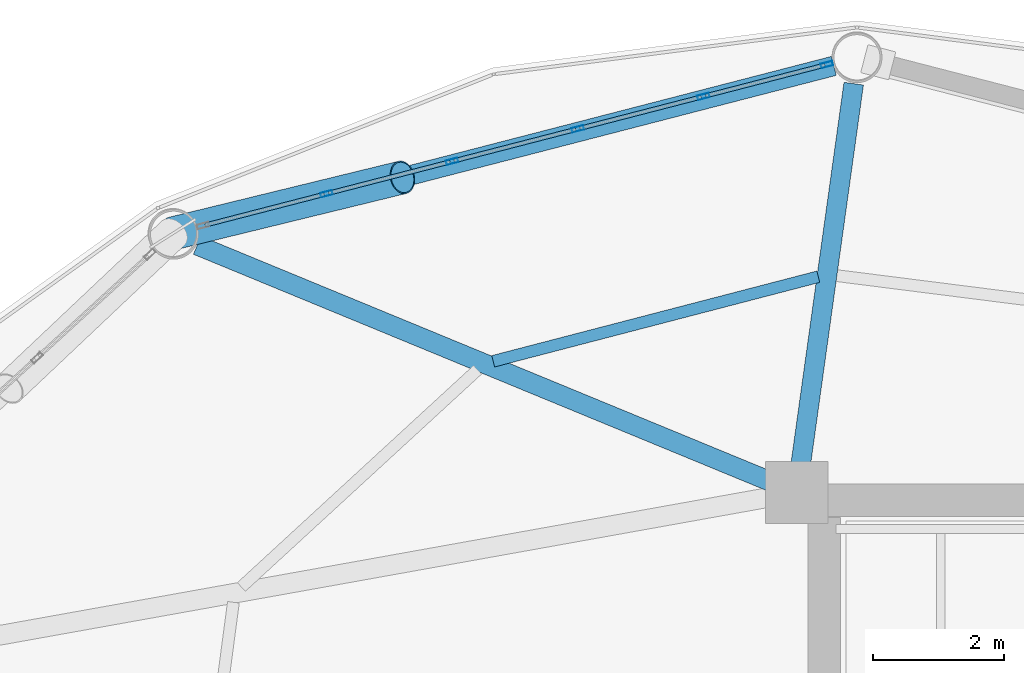
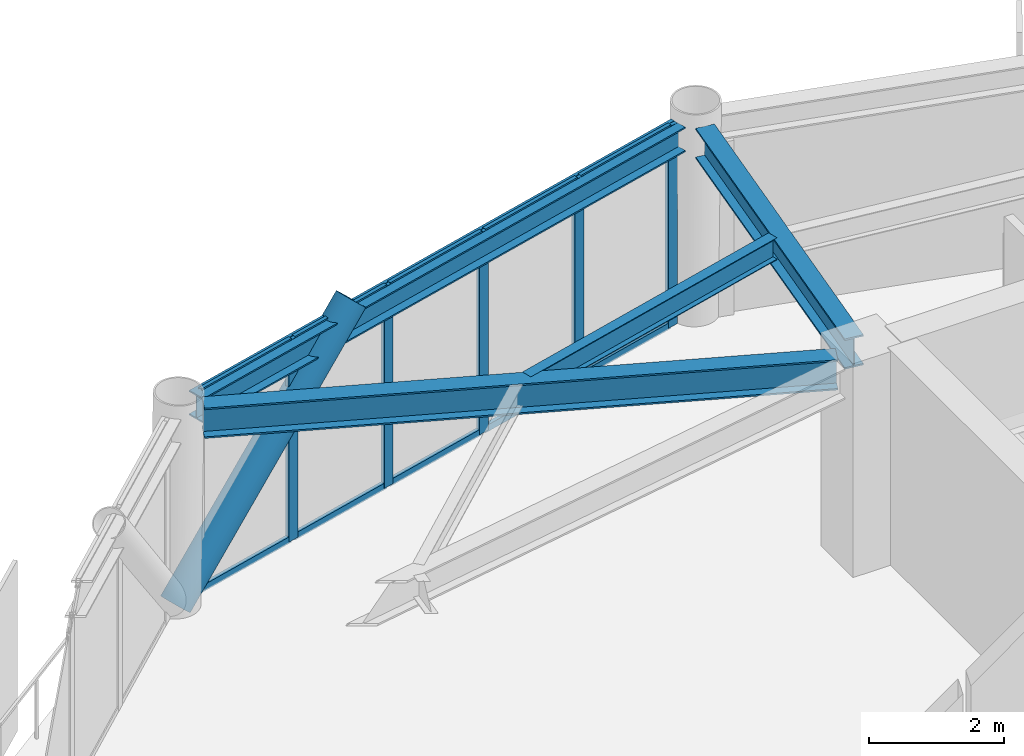
# One storey, part 18 of 27: 16 members, 4 beams, 1 element without a shape of its own.
"""IFC4 building model written with IfcOpenShell, lengths in metres."""

from ifc_helpers import new_model, si_unit, direction, frame, origin, origin_2d, place, context, subcontext, project, spatial, hollow_rectangle, hollow_circle, i_section, extrude, material, layer, layer_set, material_profile, profile_set, type_object, element, aggregate, save


model = new_model("IFC4")

# Units and contexts
model_context = context("Model", 3, precision=1e-05, world=origin(), true_north=direction((0.0, 1.0)))
body_context = subcontext(model_context, "Body", "Model", "MODEL_VIEW")
ifc_project = project(units=[si_unit("LENGTHUNIT", "METRE"), si_unit("AREAUNIT", "SQUARE_METRE"), si_unit("VOLUMEUNIT", "CUBIC_METRE"), si_unit("PLANEANGLEUNIT", "RADIAN"), si_unit("MASSUNIT", "GRAM", prefix="KILO")], contexts=[model_context])

# Site, building, storey
site_placement = place(None, origin())
site = spatial("IfcSite", under=ifc_project, at=site_placement, CompositionType="ELEMENT")
building_placement = place(site_placement, origin())
building = spatial("IfcBuilding", under=site, at=building_placement, Name="Varnakorn Sky Granary", CompositionType="ELEMENT")
storey_placement = place(building_placement, frame((0.0, 0.0, 134.39990234375)))
storey = spatial("IfcBuildingStorey", under=building, at=storey_placement, Name="L33", CompositionType="ELEMENT", Elevation=134.39990234375)

# Beams
ifc_material_1 = material(Name="Steel S355JR", Category="steel")
ifc_material_profile_1 = material_profile(ifc_material_1, i_section(OverallWidth=0.300048828125, OverallDepth=0.550048828125, WebThickness=0.014892578125, FlangeThickness=0.029052734375, at=origin_2d()), Name="HE 550 B")
ifc_profile_set_1 = profile_set([ifc_material_profile_1], Name="Steel S355JR")
beam_type_1 = type_object("IfcBeamType", Name="BM-RAD-Z3", PredefinedType="BEAM", material=ifc_profile_set_1)
beam_1_placement = place(storey_placement, frame((-2.362060546875, 13.035888671875, 3.364990234375), z_axis=(0.13785082598, 0.990453002306, 0.0), x_axis=(-0.990453002306, 0.13785082598, 0.0)))
element("IfcBeam", 1, at=beam_1_placement, inside=storey, type_object=beam_type_1, Name="Radial Floor Girder RG04 L33", PredefinedType="BEAM", context=body_context, shape_type="SweptSolid", body=[
    extrude(i_section(OverallWidth=0.300048828125, OverallDepth=0.550048828125, WebThickness=0.014892578125, FlangeThickness=0.029052734375, at=origin_2d()), origin(), (0.0, 0.0, 1.0), 5.888671875),
])
beam_2_placement = place(storey_placement, frame((-2.808349609375, 12.780029296875, 3.364990234375), z_axis=(-0.924531039205, 0.381106753477, 0.0), x_axis=(-0.381106753477, -0.924531039205, 0.0)))
element("IfcBeam", 2, at=beam_2_placement, inside=storey, type_object=beam_type_1, Name="Radial Floor Girder RG05 L33", PredefinedType="BEAM", context=body_context, shape_type="SweptSolid", body=[
    extrude(i_section(OverallWidth=0.300048828125, OverallDepth=0.550048828125, WebThickness=0.014892578125, FlangeThickness=0.029052734375, at=origin_2d()), origin(), (0.0, 0.0, 1.0), 9.493896484375),
])
ifc_material_profile_2 = material_profile(ifc_material_1, i_section(OverallWidth=0.179931640625, OverallDepth=0.39990234375, WebThickness=0.008544921875, FlangeThickness=0.013427734375, at=origin_2d()), Name="IPE 400")
ifc_profile_set_2 = profile_set([ifc_material_profile_2], Name="Steel S355JR")
beam_type_2 = type_object("IfcBeamType", Name="BM-SEC-Z3", PredefinedType="BEAM", material=ifc_profile_set_2)
beam_3_placement = place(storey_placement, frame((-2.091796875, 15.9169921875, 3.440185546875), z_axis=(-0.967794248948, -0.251742510718, 0.0), x_axis=(0.251742510718, -0.967794248948, 0.0)))
element("IfcBeam", 3, at=beam_3_placement, inside=storey, type_object=beam_type_2, Name="Secondary Floor Chord Beam MSB04 L33", PredefinedType="BEAM", context=body_context, shape_type="SweptSolid", body=[
    extrude(i_section(OverallWidth=0.179931640625, OverallDepth=0.39990234375, WebThickness=0.008544921875, FlangeThickness=0.013427734375, at=origin_2d()), origin(), (0.0, 0.0, 1.0), 5.135009765625),
])
ifc_material_profile_3 = material_profile(ifc_material_1, i_section(OverallWidth=0.300048828125, OverallDepth=0.449951171875, WebThickness=0.013916015625, FlangeThickness=0.02587890625, at=origin_2d()), Name="HE 450 B")
ifc_profile_set_3 = profile_set([ifc_material_profile_3], Name="Steel S355JR")
beam_type_3 = type_object("IfcBeamType", Name="BM-SPD-Z3", PredefinedType="SPANDREL", material=ifc_profile_set_3)
beam_4_placement = place(storey_placement, frame((-1.8544921875, 19.139404296875, 3.4150390625), z_axis=(-0.968201699162, -0.250170881079, 0.0), x_axis=(0.250170881079, -0.968201699162, 0.0)))
element("IfcBeam", 4, at=beam_4_placement, inside=storey, type_object=beam_type_3, Name="Perimeter Spandrel Ring Beam RB04 L33", PredefinedType="SPANDREL", context=body_context, shape_type="SweptSolid", body=[
    extrude(i_section(OverallWidth=0.300048828125, OverallDepth=0.449951171875, WebThickness=0.013916015625, FlangeThickness=0.02587890625, at=origin_2d()), origin(), (0.0, 0.0, 1.0), 10.0341796875),
])

# Curtain wall, members
ifc_material_2 = material(Name="Anodised Bronze Aluminium Alloy 6063-T6", Category="aluminium")
ifc_layer = layer(ifc_material_2, 0.179931640625, Name="Anodised Bronze Aluminium Alloy 6063-T6")
ifc_layer_set = layer_set([ifc_layer], Name="Anodised Bronze Aluminium Alloy 6063-T6")
curtain_wall_type = type_object("IfcCurtainWallType", Name="CW-FRM-2", PredefinedType="USERDEFINED", material=ifc_layer_set)
curtain_wall_placement = place(storey_placement, origin())
curtain_wall = element("IfcCurtainWall", 5, at=curtain_wall_placement, inside=storey, type_object=curtain_wall_type, Name="Unitised Curtain Wall CW4 CW-L33-B04", ObjectType="CURTAIN WALL", PredefinedType="USERDEFINED")
ifc_material_profile_4 = material_profile(ifc_material_2, hollow_rectangle(XDim=0.070068359375, YDim=0.18505859375, WallThickness=0.00390625, at=origin_2d()), Name="ALU MULL 70x185")
ifc_profile_set_4 = profile_set([ifc_material_profile_4], Name="Anodised Bronze Aluminium Alloy 6063-T6")
member_type_1 = type_object("IfcMemberType", Name="CW-FRM-2-MULL", PredefinedType="MULLION", material=ifc_profile_set_4)
member_1_placement = place(storey_placement, frame((-9.60986328125, 17.185302734375, 0.0), z_axis=(0.0, 0.0, 1.0), x_axis=(-0.249979863344, 0.968251035591, 0.0)))
member_1 = element("IfcMember", 6, at=member_1_placement, type_object=member_type_1, Name="CW4 mullion 2", PredefinedType="MULLION", context=body_context, shape_type="SweptSolid", body=[
    extrude(hollow_rectangle(XDim=0.070068359375, YDim=0.18505859375, WallThickness=0.00390625, at=origin_2d()), origin(), (0.0, 0.0, 1.0), 3.64013671875),
])
member_2_placement = place(storey_placement, frame((-7.689208984375, 17.68115234375, 0.0), z_axis=(0.0, 0.0, 1.0), x_axis=(-0.249979863344, 0.968251035591, 0.0)))
member_2 = element("IfcMember", 7, at=member_2_placement, type_object=member_type_1, Name="CW4 mullion 3", PredefinedType="MULLION", context=body_context, shape_type="SweptSolid", body=[
    extrude(hollow_rectangle(XDim=0.070068359375, YDim=0.18505859375, WallThickness=0.00390625, at=origin_2d()), origin(), (0.0, 0.0, 1.0), 3.64013671875),
])
member_3_placement = place(storey_placement, frame((-5.768310546875, 18.177001953125, 0.0), z_axis=(0.0, 0.0, 1.0), x_axis=(-0.249979863344, 0.968251035591, 0.0)))
member_3 = element("IfcMember", 8, at=member_3_placement, type_object=member_type_1, Name="CW4 mullion 4", PredefinedType="MULLION", context=body_context, shape_type="SweptSolid", body=[
    extrude(hollow_rectangle(XDim=0.070068359375, YDim=0.18505859375, WallThickness=0.00390625, at=origin_2d()), origin(), (0.0, 0.0, 1.0), 3.64013671875),
])
member_4_placement = place(storey_placement, frame((-3.84765625, 18.6728515625, 0.0), z_axis=(0.0, 0.0, 1.0), x_axis=(-0.249979863344, 0.968251035591, 0.0)))
member_4 = element("IfcMember", 9, at=member_4_placement, type_object=member_type_1, Name="CW4 mullion 5", PredefinedType="MULLION", context=body_context, shape_type="SweptSolid", body=[
    extrude(hollow_rectangle(XDim=0.070068359375, YDim=0.18505859375, WallThickness=0.00390625, at=origin_2d()), origin(), (0.0, 0.0, 1.0), 3.64013671875),
])
member_5_placement = place(storey_placement, frame((-1.9609375, 19.16015625, 0.0), z_axis=(0.0, 0.0, 1.0), x_axis=(-0.249979863344, 0.968251035591, 0.0)))
member_5 = element("IfcMember", 10, at=member_5_placement, type_object=member_type_1, Name="CW4 mullion 6", PredefinedType="MULLION", context=body_context, shape_type="SweptSolid", body=[
    extrude(hollow_rectangle(XDim=0.070068359375, YDim=0.18505859375, WallThickness=0.00390625, at=origin_2d()), origin(), (0.0, 0.0, 1.0), 3.64013671875),
])
ifc_material_profile_5 = material_profile(ifc_material_2, hollow_rectangle(XDim=0.06494140625, YDim=0.1201171875, WallThickness=0.00341796875, at=origin_2d()), Name="ALU TRAN 65x120")
ifc_profile_set_5 = profile_set([ifc_material_profile_5], Name="Anodised Bronze Aluminium Alloy 6063-T6")
member_type_2 = type_object("IfcMemberType", Name="CW-FRM-2-TRAN", PredefinedType="USERDEFINED", material=ifc_profile_set_5)
member_6_placement = place(storey_placement, frame((-11.462646484375, 16.706787109375, 0.03271484375), z_axis=(0.968232676684, 0.250050962408, 0.0), x_axis=(-0.250050962408, 0.968232676684, 0.0)))
member_6 = element("IfcMember", 11, at=member_6_placement, type_object=member_type_2, Name="CW4 transom 1.1", ObjectType="TRANSOM", PredefinedType="USERDEFINED", context=body_context, shape_type="SweptSolid", body=[
    extrude(hollow_rectangle(XDim=0.06494140625, YDim=0.1201171875, WallThickness=0.00341796875, at=origin_2d()), origin(), (0.0, 0.0, 1.0), 1.87841796875),
])
member_7_placement = place(storey_placement, frame((-11.462646484375, 16.706787109375, 3.607666015625), z_axis=(0.968232676684, 0.250050962408, 0.0), x_axis=(-0.250050962408, 0.968232676684, 0.0)))
member_7 = element("IfcMember", 12, at=member_7_placement, type_object=member_type_2, Name="CW4 transom 1.2", ObjectType="TRANSOM", PredefinedType="USERDEFINED", context=body_context, shape_type="SweptSolid", body=[
    extrude(hollow_rectangle(XDim=0.06494140625, YDim=0.1201171875, WallThickness=0.00341796875, at=origin_2d()), origin(), (0.0, 0.0, 1.0), 1.87841796875),
])
member_8_placement = place(storey_placement, frame((-9.575927734375, 17.194091796875, 0.03271484375), z_axis=(0.96826836196, 0.249912743225, 0.0), x_axis=(-0.249912743225, 0.96826836196, 0.0)))
member_8 = element("IfcMember", 13, at=member_8_placement, type_object=member_type_2, Name="CW4 transom 2.1", ObjectType="TRANSOM", PredefinedType="USERDEFINED", context=body_context, shape_type="SweptSolid", body=[
    extrude(hollow_rectangle(XDim=0.06494140625, YDim=0.1201171875, WallThickness=0.00341796875, at=origin_2d()), origin(), (0.0, 0.0, 1.0), 1.913818359375),
])
member_9_placement = place(storey_placement, frame((-9.575927734375, 17.194091796875, 3.607666015625), z_axis=(0.96826836196, 0.249912743225, 0.0), x_axis=(-0.249912743225, 0.96826836196, 0.0)))
member_9 = element("IfcMember", 14, at=member_9_placement, type_object=member_type_2, Name="CW4 transom 2.2", ObjectType="TRANSOM", PredefinedType="USERDEFINED", context=body_context, shape_type="SweptSolid", body=[
    extrude(hollow_rectangle(XDim=0.06494140625, YDim=0.1201171875, WallThickness=0.00341796875, at=origin_2d()), origin(), (0.0, 0.0, 1.0), 1.913818359375),
])
member_10_placement = place(storey_placement, frame((-7.6552734375, 17.68994140625, 0.03271484375), z_axis=(0.96826836196, 0.249912743225, 0.0), x_axis=(-0.249912743225, 0.96826836196, 0.0)))
member_10 = element("IfcMember", 15, at=member_10_placement, type_object=member_type_2, Name="CW4 transom 3.1", ObjectType="TRANSOM", PredefinedType="USERDEFINED", context=body_context, shape_type="SweptSolid", body=[
    extrude(hollow_rectangle(XDim=0.06494140625, YDim=0.1201171875, WallThickness=0.00341796875, at=origin_2d()), origin(), (0.0, 0.0, 1.0), 1.913818359375),
])
member_11_placement = place(storey_placement, frame((-7.6552734375, 17.68994140625, 3.607666015625), z_axis=(0.96826836196, 0.249912743225, 0.0), x_axis=(-0.249912743225, 0.96826836196, 0.0)))
member_11 = element("IfcMember", 16, at=member_11_placement, type_object=member_type_2, Name="CW4 transom 3.2", ObjectType="TRANSOM", PredefinedType="USERDEFINED", context=body_context, shape_type="SweptSolid", body=[
    extrude(hollow_rectangle(XDim=0.06494140625, YDim=0.1201171875, WallThickness=0.00341796875, at=origin_2d()), origin(), (0.0, 0.0, 1.0), 1.913818359375),
])
member_12_placement = place(storey_placement, frame((-5.734619140625, 18.185791015625, 0.03271484375), z_axis=(0.96826836196, 0.249912743225, 0.0), x_axis=(-0.249912743225, 0.96826836196, 0.0)))
member_12 = element("IfcMember", 17, at=member_12_placement, type_object=member_type_2, Name="CW4 transom 4.1", ObjectType="TRANSOM", PredefinedType="USERDEFINED", context=body_context, shape_type="SweptSolid", body=[
    extrude(hollow_rectangle(XDim=0.06494140625, YDim=0.1201171875, WallThickness=0.00341796875, at=origin_2d()), origin(), (0.0, 0.0, 1.0), 1.913818359375),
])
member_13_placement = place(storey_placement, frame((-5.734619140625, 18.185791015625, 3.607666015625), z_axis=(0.96826836196, 0.249912743225, 0.0), x_axis=(-0.249912743225, 0.96826836196, 0.0)))
member_13 = element("IfcMember", 18, at=member_13_placement, type_object=member_type_2, Name="CW4 transom 4.2", ObjectType="TRANSOM", PredefinedType="USERDEFINED", context=body_context, shape_type="SweptSolid", body=[
    extrude(hollow_rectangle(XDim=0.06494140625, YDim=0.1201171875, WallThickness=0.00341796875, at=origin_2d()), origin(), (0.0, 0.0, 1.0), 1.913818359375),
])
member_14_placement = place(storey_placement, frame((-3.813720703125, 18.681640625, 0.03271484375), z_axis=(0.968232676684, 0.250050962408, 0.0), x_axis=(-0.250050962408, 0.968232676684, 0.0)))
member_14 = element("IfcMember", 19, at=member_14_placement, type_object=member_type_2, Name="CW4 transom 5.1", ObjectType="TRANSOM", PredefinedType="USERDEFINED", context=body_context, shape_type="SweptSolid", body=[
    extrude(hollow_rectangle(XDim=0.06494140625, YDim=0.1201171875, WallThickness=0.00341796875, at=origin_2d()), origin(), (0.0, 0.0, 1.0), 1.87841796875),
])
member_15_placement = place(storey_placement, frame((-3.813720703125, 18.681640625, 3.607666015625), z_axis=(0.968232676684, 0.250050962408, 0.0), x_axis=(-0.250050962408, 0.968232676684, 0.0)))
member_15 = element("IfcMember", 20, at=member_15_placement, type_object=member_type_2, Name="CW4 transom 5.2", ObjectType="TRANSOM", PredefinedType="USERDEFINED", context=body_context, shape_type="SweptSolid", body=[
    extrude(hollow_rectangle(XDim=0.06494140625, YDim=0.1201171875, WallThickness=0.00341796875, at=origin_2d()), origin(), (0.0, 0.0, 1.0), 1.87841796875),
])
aggregate(curtain_wall, [member_1, member_2, member_3, member_4, member_5, member_6, member_7, member_8, member_9, member_10, member_11, member_12, member_13, member_14, member_15])

# Member
ifc_material_3 = material(Name="Steel S460M", Category="steel")
ifc_material_profile_6 = material_profile(ifc_material_3, hollow_circle(Radius=0.25390625, WallThickness=0.01806640625, at=origin_2d()), Name="CHS 508x18")
ifc_profile_set_6 = profile_set([ifc_material_profile_6], Name="Steel S460M")
member_type_3 = type_object("IfcMemberType", Name="MB-DIAG-T2", PredefinedType="BRACE", material=ifc_profile_set_6)
member_16_placement = place(storey_placement, frame((-11.95751953125, 16.5791015625, 0.0), z_axis=(0.67015731036, 0.163551961547, 0.723975092973), x_axis=(-0.237091578166, 0.97148730489, 0.0)))
element("IfcMember", 21, at=member_16_placement, inside=storey, type_object=member_type_3, Name="Perimeter CHS Diagrid Brace DG04 L33", PredefinedType="BRACE", context=body_context, shape_type="SweptSolid", body=[
    extrude(hollow_circle(Radius=0.25390625, WallThickness=0.01806640625, at=origin_2d()), origin(), (0.0, 0.0, 1.0), 5.235107421875),
])

save(model, "model.ifc")
